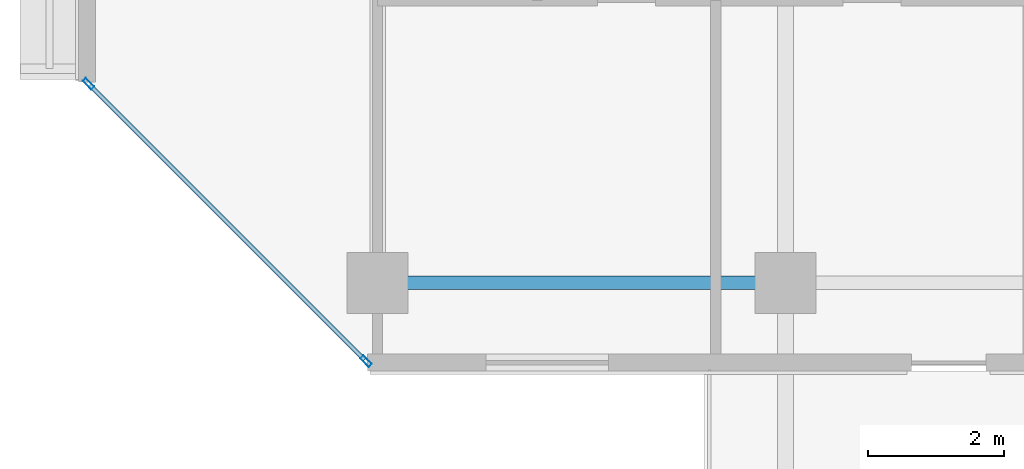
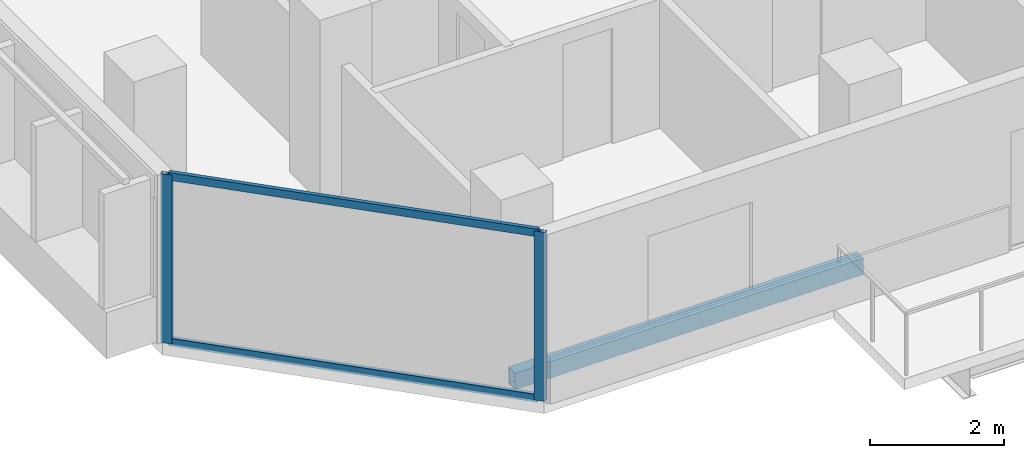
# One storey, part 2 of 29: 4 members, 1 beam, 1 element without a shape of its own.
"""IFC4 building model written with IfcOpenShell, lengths in metres."""

from ifc_helpers import new_model, si_unit, direction, frame, origin, origin_2d, place, context, subcontext, project, spatial, hollow_rectangle, extrude, material, layer, layer_set, material_profile, profile_set, type_object, element, aggregate, save


model = new_model("IFC4")

# Units and contexts
model_context = context("Model", 3, precision=1e-05, world=origin(), true_north=direction((0.0, 1.0)))
body_context = subcontext(model_context, "Body", "Model", "MODEL_VIEW")
ifc_project = project(units=[si_unit("LENGTHUNIT", "METRE"), si_unit("AREAUNIT", "SQUARE_METRE"), si_unit("VOLUMEUNIT", "CUBIC_METRE"), si_unit("PLANEANGLEUNIT", "RADIAN"), si_unit("MASSUNIT", "GRAM", prefix="KILO")], contexts=[model_context])

# Site, building, storey
site_placement = place(None, origin())
site = spatial("IfcSite", under=ifc_project, at=site_placement, CompositionType="ELEMENT")
building_placement = place(site_placement, origin())
building = spatial("IfcBuilding", under=site, at=building_placement, Name="Tanjung Sevakor Pilgrim Tower", CompositionType="ELEMENT")
storey_placement = place(building_placement, frame((0.0, 0.0, 148.5)))
storey = spatial("IfcBuildingStorey", under=building, at=storey_placement, Name="L41", CompositionType="ELEMENT", Elevation=148.5)

# Beam
ifc_material_1 = material(Name="Steel S355J2", Category="steel")
ifc_material_profile_1 = material_profile(ifc_material_1, hollow_rectangle(XDim=0.199951171875, YDim=0.300048828125, WallThickness=0.012451171875, at=origin_2d()))
ifc_profile_set_1 = profile_set([ifc_material_profile_1], Name="Steel S355J2")
beam_type = type_object("IfcBeamType", Name="BM-B-SP3-RHS_300x200x12.5", PredefinedType="SPANDREL", material=ifc_profile_set_1)
beam_placement = place(storey_placement, frame((24.0, 13.199951171875, -0.3701171875), z_axis=(1.0, 0.0, 0.0), x_axis=(0.0, 1.0, 0.0)))
element("IfcBeam", 1, at=beam_placement, inside=storey, type_object=beam_type, Name="L41 Spandrel MAIN S-01", PredefinedType="SPANDREL", context=body_context, shape_type="SweptSolid", body=[
    extrude(hollow_rectangle(XDim=0.199951171875, YDim=0.300048828125, WallThickness=0.012451171875, at=origin_2d()), origin(), (0.0, 0.0, 1.0), 6.0),
])

# Curtain wall, members
ifc_material_2 = material(Name="Aluminium 6063-T6 and Low-E Glass", Category="aluminium")
ifc_layer = layer(ifc_material_2, 0.179931640625)
ifc_layer_set = layer_set([ifc_layer], Name="CW-SYS-CHAM")
curtain_wall_type = type_object("IfcCurtainWallType", Name="CW-SYS-CHAM", PredefinedType="NOTDEFINED", material=ifc_layer_set)
curtain_wall_placement = place(storey_placement, origin())
curtain_wall = element("IfcCurtainWall", 2, at=curtain_wall_placement, inside=storey, type_object=curtain_wall_type, Name="L41 Curtain Wall CW-CHM-L41-MAIN-15", PredefinedType="NOTDEFINED")
ifc_material_3 = material(Name="Aluminium 6063-T6", Category="aluminium")
ifc_material_profile_2 = material_profile(ifc_material_3, hollow_rectangle(XDim=0.06494140625, YDim=0.179931640625, WallThickness=0.00390625, at=origin_2d()))
ifc_profile_set_2 = profile_set([ifc_material_profile_2], Name="Aluminium 6063-T6")
member_type_1 = type_object("IfcMemberType", Name="TYPE-CWM-1", PredefinedType="MULLION", material=ifc_profile_set_2)
member_1_placement = place(storey_placement, frame((19.748046875, 16.12890625, 0.0), z_axis=(0.0, 0.0, 1.0), x_axis=(0.707106781187, 0.707106781187, 0.0)))
member_1 = element("IfcMember", 3, at=member_1_placement, type_object=member_type_1, Name="CW-CHM mullion 1", PredefinedType="MULLION", context=body_context, shape_type="SweptSolid", body=[
    extrude(hollow_rectangle(XDim=0.06494140625, YDim=0.179931640625, WallThickness=0.00390625, at=origin_2d()), origin(), (0.0, 0.0, 1.0), 3.080078125),
])
member_2_placement = place(storey_placement, frame((23.828857421875, 12.048095703125, 0.0), z_axis=(0.0, 0.0, 1.0), x_axis=(0.707106781187, 0.707106781187, 0.0)))
member_2 = element("IfcMember", 4, at=member_2_placement, type_object=member_type_1, Name="CW-CHM mullion 2", PredefinedType="MULLION", context=body_context, shape_type="SweptSolid", body=[
    extrude(hollow_rectangle(XDim=0.06494140625, YDim=0.179931640625, WallThickness=0.00390625, at=origin_2d()), origin(), (0.0, 0.0, 1.0), 3.080078125),
])
ifc_material_4 = material(Name="Aluminium 6063-T6", Category="aluminium")
ifc_material_profile_3 = material_profile(ifc_material_4, hollow_rectangle(XDim=0.06494140625, YDim=0.139892578125, WallThickness=0.00390625, at=origin_2d()))
ifc_profile_set_3 = profile_set([ifc_material_profile_3], Name="Aluminium 6063-T6")
member_type_2 = type_object("IfcMemberType", Name="TYPE-CWT-1", PredefinedType="USERDEFINED", material=ifc_profile_set_3)
member_3_placement = place(storey_placement, frame((19.77099609375, 16.10595703125, 0.032470703125), z_axis=(0.707106781187, -0.707106781187, 0.0), x_axis=(0.707106781187, 0.707106781187, 0.0)))
member_3 = element("IfcMember", 5, at=member_3_placement, type_object=member_type_2, Name="CW-CHM transom 1.1", ObjectType="TRANSOM", PredefinedType="USERDEFINED", context=body_context, shape_type="SweptSolid", body=[
    extrude(hollow_rectangle(XDim=0.06494140625, YDim=0.139892578125, WallThickness=0.00390625, at=origin_2d()), origin(), (0.0, 0.0, 1.0), 5.706298828125),
])
member_4_placement = place(storey_placement, frame((19.77099609375, 16.10595703125, 3.047607421875), z_axis=(0.707106781187, -0.707106781187, 0.0), x_axis=(0.707106781187, 0.707106781187, 0.0)))
member_4 = element("IfcMember", 6, at=member_4_placement, type_object=member_type_2, Name="CW-CHM transom 1.2", ObjectType="TRANSOM", PredefinedType="USERDEFINED", context=body_context, shape_type="SweptSolid", body=[
    extrude(hollow_rectangle(XDim=0.06494140625, YDim=0.139892578125, WallThickness=0.00390625, at=origin_2d()), origin(), (0.0, 0.0, 1.0), 5.706298828125),
])
aggregate(curtain_wall, [member_1, member_2, member_3, member_4])

save(model, "model.ifc")
